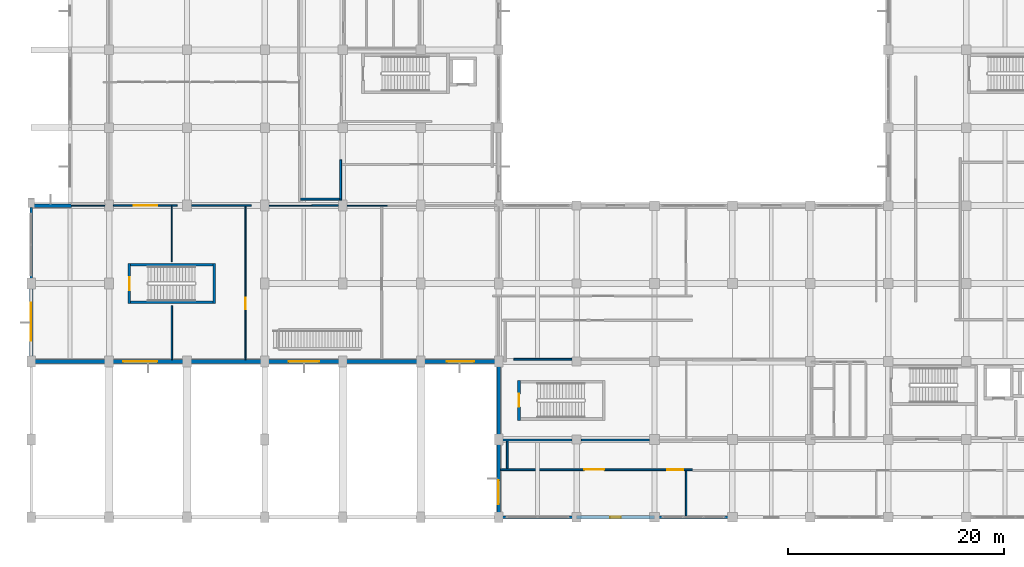
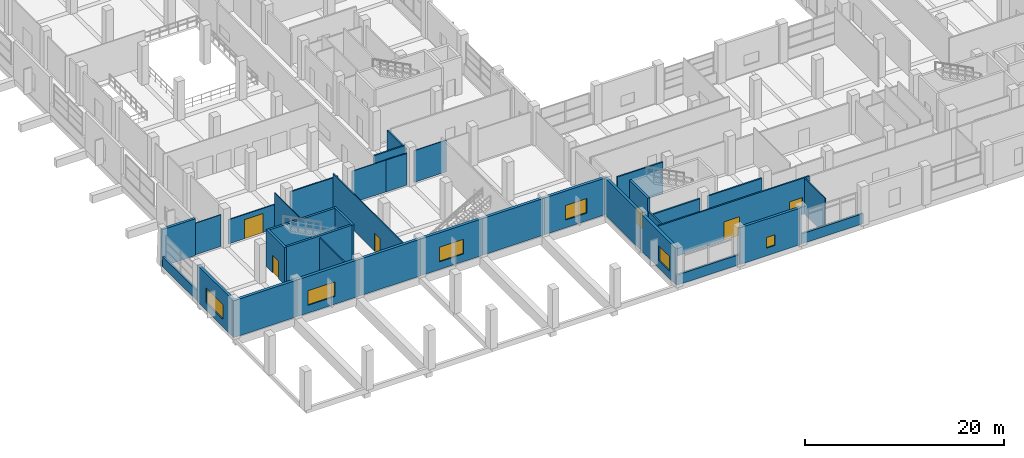
# One storey, part 154 of 181: 36 walls, 7 windows, 5 doors, 12 openings.
"""IFC4 building model written with IfcOpenShell, lengths in metres."""

from ifc_helpers import new_model, si_unit, direction, frame, frame_2d, origin, place, context, subcontext, project, spatial, rectangle, extrude, material, layer, layer_set, type_object, element, fill, save


model = new_model("IFC4")

# Units and contexts
model_context = context("Model", 3, precision=1e-05, world=origin(), true_north=direction((0.0, 1.0)))
body_context = subcontext(model_context, "Body", "Model", "MODEL_VIEW")
ifc_project = project(units=[si_unit("LENGTHUNIT", "METRE"), si_unit("AREAUNIT", "SQUARE_METRE"), si_unit("VOLUMEUNIT", "CUBIC_METRE"), si_unit("PLANEANGLEUNIT", "RADIAN"), si_unit("MASSUNIT", "GRAM", prefix="KILO")], contexts=[model_context])

# Site, building, storey
site_placement = place(None, origin())
site = spatial("IfcSite", under=ifc_project, at=site_placement, CompositionType="ELEMENT")
building_placement = place(site_placement, origin())
building = spatial("IfcBuilding", under=site, at=building_placement, Name="Seraya Terrace Polytechnic", CompositionType="ELEMENT")
storey_placement = place(building_placement, frame((0.0, 0.0, 4.800048828125)))
storey = spatial("IfcBuildingStorey", under=building, at=storey_placement, Name="L01", CompositionType="ELEMENT", Elevation=4.800048828125)

# Wall, opening, window
ifc_material_1 = material(Name="Concrete C40/50", Category="concrete")
ifc_layer_1 = layer(ifc_material_1, 0.300048828125, Name="EW-01")
ifc_layer_set_1 = layer_set([ifc_layer_1], Name="Concrete C40/50")
wall_type_1 = type_object("IfcWallType", Name="EW-01", PredefinedType="SOLIDWALL", material=ifc_layer_set_1)
wall_1_placement = place(storey_placement, frame((0.0, 14.56591796875, 0.0), z_axis=(0.0, 0.0, 1.0), x_axis=(0.0, 1.0, 0.0)))
wall_1 = element("IfcWall", 1, at=wall_1_placement, inside=storey, type_object=wall_type_1, Name="Exterior structural wall EW-01 L01", PredefinedType="SOLIDWALL", context=body_context, shape_type="SweptSolid", body=[
    extrude(rectangle(XDim=7.0341796875, YDim=0.300048828125, at=frame_2d((3.51708984375, 0.0))), origin(), (0.0, 0.0, 1.0), 4.52001953125),
])
opening_1_placement = place(wall_1_placement, frame((1.76708984375, 0.0, 0.949951171875)))
opening_1 = element("IfcOpeningElement", 2, at=opening_1_placement, cuts=wall_1, Name="Opening WN-35", PredefinedType="OPENING", context=body_context, shape_type="SweptSolid", body=[
    extrude(rectangle(XDim=3.5, YDim=1.800048828125, at=frame_2d((1.75, 0.89990234375))), frame((0.0, 0.162109375, 0.0), z_axis=(0.0, -1.0, 0.0), x_axis=(1.0, 0.0, 0.0)), (0.0, 0.0, 1.0), 0.323974609375),
])
ifc_material_2 = material(Name="Laminated solar-control Low-E double glazing", Category="glass")
window_type_1 = type_object("IfcWindowType", Name="WN-35", PartitioningType="SINGLE_PANEL", PredefinedType="WINDOW", material=ifc_material_2)
window_1_placement = place(opening_1_placement, origin())
window_1 = element("IfcWindow", 3, at=window_1_placement, inside=storey, type_object=window_type_1, Name="Exterior window WN-35 L01", OverallHeight=1.800048828125, OverallWidth=3.5, PartitioningType="SINGLE_PANEL", PredefinedType="WINDOW", context=body_context, shape_type="SweptSolid", body=[
    extrude(rectangle(XDim=3.5, YDim=1.800048828125, at=frame_2d((1.75, 0.89990234375))), frame((0.0, 0.030029296875, 0.0), z_axis=(0.0, -1.0, 0.0), x_axis=(1.0, 0.0, 0.0)), (0.0, 0.0, 1.0), 0.06005859375),
])
fill(opening_1, window_1)

# Wall
wall_2_placement = place(storey_placement, frame((-0.14990234375, 28.800048828125, 0.0), z_axis=(0.0, 0.0, 1.0), x_axis=(1.0, 0.0, 0.0)))
element("IfcWall", 4, at=wall_2_placement, inside=storey, type_object=wall_type_1, Name="Exterior structural wall EW-01 L01", PredefinedType="SOLIDWALL", context=body_context, shape_type="SweptSolid", body=[
    extrude(rectangle(XDim=3.89990234375, YDim=0.300048828125, at=frame_2d((1.949951171875, 0.0))), origin(), (0.0, 0.0, 1.0), 4.52001953125),
])

# Wall, opening, window
wall_3_placement = place(storey_placement, frame((57.60009765625, 0.0, 0.0), z_axis=(0.0, 0.0, 1.0), x_axis=(-1.0, 0.0, 0.0)))
wall_3 = element("IfcWall", 5, at=wall_3_placement, inside=storey, type_object=wall_type_1, Name="Exterior structural wall EW-01 L01", PredefinedType="SOLIDWALL", context=body_context, shape_type="SweptSolid", body=[
    extrude(rectangle(XDim=7.2001953125, YDim=0.300048828125, at=frame_2d((3.60009765625, 0.0))), origin(), (0.0, 0.0, 1.0), 4.52001953125),
])
opening_2_placement = place(wall_3_placement, frame((3.10009765625, 0.0, 0.949951171875)))
opening_2 = element("IfcOpeningElement", 6, at=opening_2_placement, cuts=wall_3, Name="Opening WN-01", PredefinedType="OPENING", context=body_context, shape_type="SweptSolid", body=[
    extrude(rectangle(XDim=1.0, YDim=1.300048828125, at=frame_2d((0.5, 0.64990234375))), frame((0.0, 0.162109375, 0.0), z_axis=(0.0, -1.0, 0.0), x_axis=(1.0, 0.0, 0.0)), (0.0, 0.0, 1.0), 0.323974609375),
])
window_type_2 = type_object("IfcWindowType", Name="WN-01", PartitioningType="SINGLE_PANEL", PredefinedType="WINDOW", material=ifc_material_2)
window_2_placement = place(opening_2_placement, origin())
window_2 = element("IfcWindow", 7, at=window_2_placement, inside=storey, type_object=window_type_2, Name="Exterior window WN-01 L01", OverallHeight=1.300048828125, OverallWidth=1.0, PartitioningType="SINGLE_PANEL", PredefinedType="WINDOW", context=body_context, shape_type="SweptSolid", body=[
    extrude(rectangle(XDim=1.0, YDim=1.300048828125, at=frame_2d((0.5, 0.64990234375))), frame((0.0, 0.030029296875, 0.0), z_axis=(0.0, -1.0, 0.0), x_axis=(1.0, 0.0, 0.0)), (0.0, 0.0, 1.0), 0.06005859375),
])
fill(opening_2, window_2)

# Walls
ifc_material_3 = material(Name="Precast concrete C40/50", Category="concrete")
ifc_layer_2 = layer(ifc_material_3, 0.219970703125, Name="EW-05")
ifc_layer_set_2 = layer_set([ifc_layer_2], Name="Precast concrete C40/50")
wall_type_2 = type_object("IfcWallType", Name="EW-05", PredefinedType="SOLIDWALL", material=ifc_layer_set_2)
wall_4_placement = place(storey_placement, frame((0.0, 21.60009765625, 0.0), z_axis=(0.0, 0.0, 1.0), x_axis=(0.0, 1.0, 0.0)))
element("IfcWall", 8, at=wall_4_placement, inside=storey, type_object=wall_type_2, Name="Precast spandrel wall L01", PredefinedType="SOLIDWALL", context=body_context, shape_type="SweptSolid", body=[
    extrude(rectangle(XDim=7.033935546875, YDim=0.219970703125, at=frame_2d((3.51708984375, 0.0))), origin(), (0.0, 0.0, 1.0), 1.239990234375),
])
wall_5_placement = place(storey_placement, frame((64.800048828125, 0.0, 0.0), z_axis=(0.0, 0.0, 1.0), x_axis=(-1.0, 0.0, 0.0)))
element("IfcWall", 9, at=wall_5_placement, inside=storey, type_object=wall_type_2, Name="Precast spandrel wall L01", PredefinedType="SOLIDWALL", context=body_context, shape_type="SweptSolid", body=[
    extrude(rectangle(XDim=7.199951171875, YDim=0.219970703125, at=frame_2d((3.60009765625, 0.0))), origin(), (0.0, 0.0, 1.0), 1.239990234375),
])
wall_6_placement = place(storey_placement, frame((50.39990234375, 0.0, 0.0), z_axis=(0.0, 0.0, 1.0), x_axis=(-1.0, 0.0, 0.0)))
element("IfcWall", 10, at=wall_6_placement, inside=storey, type_object=wall_type_2, Name="Precast spandrel wall L01", PredefinedType="SOLIDWALL", context=body_context, shape_type="SweptSolid", body=[
    extrude(rectangle(XDim=7.349853515625, YDim=0.219970703125, at=frame_2d((3.6748046875, 0.0))), origin(), (0.0, 0.0, 1.0), 1.239990234375),
])

# Wall, opening, window
ifc_layer_3 = layer(ifc_material_1, 0.330078125, Name="EW-06")
ifc_layer_set_3 = layer_set([ifc_layer_3], Name="Concrete C40/50")
wall_type_3 = type_object("IfcWallType", Name="EW-06", PredefinedType="SOLIDWALL", material=ifc_layer_set_3)
wall_7_placement = place(storey_placement, frame((43.199951171875, 0.166015625, 0.0), z_axis=(0.0, 0.0, 1.0), x_axis=(0.0, 1.0, 0.0)))
wall_7 = element("IfcWall", 11, at=wall_7_placement, inside=storey, type_object=wall_type_3, Name="Exterior structural wall EW-06 L01", PredefinedType="SOLIDWALL", context=body_context, shape_type="SweptSolid", body=[
    extrude(rectangle(XDim=7.033935546875, YDim=0.330078125, at=frame_2d((3.51708984375, 0.0))), origin(), (0.0, 0.0, 1.0), 4.52001953125),
])
opening_3_placement = place(wall_7_placement, frame((1.056884765625, 0.0, 0.949951171875)))
opening_3 = element("IfcOpeningElement", 12, at=opening_3_placement, cuts=wall_7, Name="Opening WN-31", PredefinedType="OPENING", context=body_context, shape_type="SweptSolid", body=[
    extrude(rectangle(XDim=2.199951171875, YDim=1.800048828125, at=frame_2d((1.10009765625, 0.89990234375))), frame((0.0, 0.177001953125, 0.0), z_axis=(0.0, -1.0, 0.0), x_axis=(1.0, 0.0, 0.0)), (0.0, 0.0, 1.0), 0.35400390625),
])
window_type_3 = type_object("IfcWindowType", Name="WN-31", PartitioningType="SINGLE_PANEL", PredefinedType="WINDOW", material=ifc_material_2)
window_3_placement = place(opening_3_placement, origin())
window_3 = element("IfcWindow", 13, at=window_3_placement, inside=storey, type_object=window_type_3, Name="Exterior window WN-31 L01", OverallHeight=1.800048828125, OverallWidth=2.199951171875, PartitioningType="SINGLE_PANEL", PredefinedType="WINDOW", context=body_context, shape_type="SweptSolid", body=[
    extrude(rectangle(XDim=2.199951171875, YDim=1.800048828125, at=frame_2d((1.10009765625, 0.89990234375))), frame((0.0, 0.030029296875, 0.0), z_axis=(0.0, -1.0, 0.0), x_axis=(1.0, 0.0, 0.0)), (0.0, 0.0, 1.0), 0.06005859375),
])
fill(opening_3, window_3)

# Wall
wall_8_placement = place(storey_placement, frame((43.199951171875, 7.199951171875, 0.0), z_axis=(0.0, 0.0, 1.0), x_axis=(0.0, 1.0, 0.0)))
element("IfcWall", 14, at=wall_8_placement, inside=storey, type_object=wall_type_3, Name="Exterior structural wall EW-06 L01", PredefinedType="SOLIDWALL", context=body_context, shape_type="SweptSolid", body=[
    extrude(rectangle(XDim=7.033935546875, YDim=0.330078125, at=frame_2d((3.51708984375, 0.0))), origin(), (0.0, 0.0, 1.0), 4.52001953125),
])

# Wall, opening, window
wall_9_placement = place(storey_placement, frame((43.35009765625, 14.39990234375, 0.0), z_axis=(0.0, 0.0, 1.0), x_axis=(-1.0, 0.0, 0.0)))
wall_9 = element("IfcWall", 15, at=wall_9_placement, inside=storey, type_object=wall_type_3, Name="Exterior structural wall EW-06 L01", PredefinedType="SOLIDWALL", context=body_context, shape_type="SweptSolid", body=[
    extrude(rectangle(XDim=7.35009765625, YDim=0.330078125, at=frame_2d((3.675048828125, 0.0))), origin(), (0.0, 0.0, 1.0), 4.52001953125),
])
opening_4_placement = place(wall_9_placement, frame((2.425048828125, 0.0, 0.949951171875)))
opening_4 = element("IfcOpeningElement", 16, at=opening_4_placement, cuts=wall_9, Name="Opening WN-32", PredefinedType="OPENING", context=body_context, shape_type="SweptSolid", body=[
    extrude(rectangle(XDim=2.5, YDim=1.800048828125, at=frame_2d((1.25, 0.89990234375))), frame((0.0, 0.177001953125, 0.0), z_axis=(0.0, -1.0, 0.0), x_axis=(1.0, 0.0, 0.0)), (0.0, 0.0, 1.0), 0.35400390625),
])
window_type_4 = type_object("IfcWindowType", Name="WN-32", PartitioningType="SINGLE_PANEL", PredefinedType="WINDOW", material=ifc_material_2)
window_4_placement = place(opening_4_placement, origin())
window_4 = element("IfcWindow", 17, at=window_4_placement, inside=storey, type_object=window_type_4, Name="Exterior window WN-32 L01", OverallHeight=1.800048828125, OverallWidth=2.5, PartitioningType="SINGLE_PANEL", PredefinedType="WINDOW", context=body_context, shape_type="SweptSolid", body=[
    extrude(rectangle(XDim=2.5, YDim=1.800048828125, at=frame_2d((1.25, 0.89990234375))), frame((0.0, 0.030029296875, 0.0), z_axis=(0.0, -1.0, 0.0), x_axis=(1.0, 0.0, 0.0)), (0.0, 0.0, 1.0), 0.06005859375),
])
fill(opening_4, window_4)

# Wall
wall_10_placement = place(storey_placement, frame((36.0, 14.39990234375, 0.0), z_axis=(0.0, 0.0, 1.0), x_axis=(-1.0, 0.0, 0.0)))
element("IfcWall", 18, at=wall_10_placement, inside=storey, type_object=wall_type_3, Name="Exterior structural wall EW-06 L01", PredefinedType="SOLIDWALL", context=body_context, shape_type="SweptSolid", body=[
    extrude(rectangle(XDim=7.199951171875, YDim=0.330078125, at=frame_2d((3.60009765625, 0.0))), origin(), (0.0, 0.0, 1.0), 4.52001953125),
])

# Wall, opening, window
wall_11_placement = place(storey_placement, frame((28.800048828125, 14.39990234375, 0.0), z_axis=(0.0, 0.0, 1.0), x_axis=(-1.0, 0.0, 0.0)))
wall_11 = element("IfcWall", 19, at=wall_11_placement, inside=storey, type_object=wall_type_3, Name="Exterior structural wall EW-06 L01", PredefinedType="SOLIDWALL", context=body_context, shape_type="SweptSolid", body=[
    extrude(rectangle(XDim=7.199951171875, YDim=0.330078125, at=frame_2d((3.60009765625, 0.0))), origin(), (0.0, 0.0, 1.0), 4.52001953125),
])
opening_5_placement = place(wall_11_placement, frame((2.199951171875, 0.0, 0.949951171875)))
opening_5 = element("IfcOpeningElement", 20, at=opening_5_placement, cuts=wall_11, Name="Opening WN-33", PredefinedType="OPENING", context=body_context, shape_type="SweptSolid", body=[
    extrude(rectangle(XDim=2.800048828125, YDim=1.800048828125, at=frame_2d((1.39990234375, 0.89990234375))), frame((0.0, 0.177001953125, 0.0), z_axis=(0.0, -1.0, 0.0), x_axis=(1.0, 0.0, 0.0)), (0.0, 0.0, 1.0), 0.35400390625),
])
window_type_5 = type_object("IfcWindowType", Name="WN-33", PartitioningType="SINGLE_PANEL", PredefinedType="WINDOW", material=ifc_material_2)
window_5_placement = place(opening_5_placement, origin())
window_5 = element("IfcWindow", 21, at=window_5_placement, inside=storey, type_object=window_type_5, Name="Exterior window WN-33 L01", OverallHeight=1.800048828125, OverallWidth=2.800048828125, PartitioningType="SINGLE_PANEL", PredefinedType="WINDOW", context=body_context, shape_type="SweptSolid", body=[
    extrude(rectangle(XDim=2.800048828125, YDim=1.800048828125, at=frame_2d((1.39990234375, 0.89990234375))), frame((0.0, 0.030029296875, 0.0), z_axis=(0.0, -1.0, 0.0), x_axis=(1.0, 0.0, 0.0)), (0.0, 0.0, 1.0), 0.06005859375),
])
fill(opening_5, window_5)

# Wall
wall_12_placement = place(storey_placement, frame((21.60009765625, 14.39990234375, 0.0), z_axis=(0.0, 0.0, 1.0), x_axis=(-1.0, 0.0, 0.0)))
element("IfcWall", 22, at=wall_12_placement, inside=storey, type_object=wall_type_3, Name="Exterior structural wall EW-06 L01", PredefinedType="SOLIDWALL", context=body_context, shape_type="SweptSolid", body=[
    extrude(rectangle(XDim=7.2001953125, YDim=0.330078125, at=frame_2d((3.60009765625, 0.0))), origin(), (0.0, 0.0, 1.0), 4.52001953125),
])

# Wall, opening, window
wall_13_placement = place(storey_placement, frame((14.39990234375, 14.39990234375, 0.0), z_axis=(0.0, 0.0, 1.0), x_axis=(-1.0, 0.0, 0.0)))
wall_13 = element("IfcWall", 23, at=wall_13_placement, inside=storey, type_object=wall_type_3, Name="Exterior structural wall EW-06 L01", PredefinedType="SOLIDWALL", context=body_context, shape_type="SweptSolid", body=[
    extrude(rectangle(XDim=7.199951171875, YDim=0.330078125, at=frame_2d((3.60009765625, 0.0))), origin(), (0.0, 0.0, 1.0), 4.52001953125),
])
opening_6_placement = place(wall_13_placement, frame((2.7451171875, 0.0, 0.949951171875)))
opening_6 = element("IfcOpeningElement", 24, at=opening_6_placement, cuts=wall_13, Name="Opening WN-34", PredefinedType="OPENING", context=body_context, shape_type="SweptSolid", body=[
    extrude(rectangle(XDim=3.14990234375, YDim=1.800048828125, at=frame_2d((1.574951171875, 0.89990234375))), frame((0.0, 0.177001953125, 0.0), z_axis=(0.0, -1.0, 0.0), x_axis=(1.0, 0.0, 0.0)), (0.0, 0.0, 1.0), 0.35400390625),
])
window_type_6 = type_object("IfcWindowType", Name="WN-34", PartitioningType="SINGLE_PANEL", PredefinedType="WINDOW", material=ifc_material_2)
window_6_placement = place(opening_6_placement, origin())
window_6 = element("IfcWindow", 25, at=window_6_placement, inside=storey, type_object=window_type_6, Name="Exterior window WN-34 L01", OverallHeight=1.800048828125, OverallWidth=3.14990234375, PartitioningType="SINGLE_PANEL", PredefinedType="WINDOW", context=body_context, shape_type="SweptSolid", body=[
    extrude(rectangle(XDim=3.14990234375, YDim=1.800048828125, at=frame_2d((1.574951171875, 0.89990234375))), frame((0.0, 0.030029296875, 0.0), z_axis=(0.0, -1.0, 0.0), x_axis=(1.0, 0.0, 0.0)), (0.0, 0.0, 1.0), 0.06005859375),
])
fill(opening_6, window_6)

# Walls
wall_14_placement = place(storey_placement, frame((7.199951171875, 14.39990234375, 0.0), z_axis=(0.0, 0.0, 1.0), x_axis=(-1.0, 0.0, 0.0)))
element("IfcWall", 26, at=wall_14_placement, inside=storey, type_object=wall_type_3, Name="Exterior structural wall EW-06 L01", PredefinedType="SOLIDWALL", context=body_context, shape_type="SweptSolid", body=[
    extrude(rectangle(XDim=7.349853515625, YDim=0.330078125, at=frame_2d((3.6748046875, 0.0))), origin(), (0.0, 0.0, 1.0), 4.52001953125),
])
ifc_material_4 = material(Name="Autoclaved aerated concrete blockwork", Category="masonry")
ifc_layer_4 = layer(ifc_material_4, 0.169921875, Name="PT-02")
ifc_layer_set_4 = layer_set([ifc_layer_4], Name="Autoclaved aerated concrete blockwork")
wall_type_4 = type_object("IfcWallType", Name="PT-02", PredefinedType="PARTITIONING", material=ifc_layer_set_4)
wall_15_placement = place(storey_placement, frame((44.618408203125, 14.60009765625, 0.0), z_axis=(0.0, 0.0, 1.0), x_axis=(1.0, 0.0, 0.0)))
element("IfcWall", 27, at=wall_15_placement, inside=storey, type_object=wall_type_4, Name="Internal partition PT-02 L01", PredefinedType="PARTITIONING", context=body_context, shape_type="SweptSolid", body=[
    extrude(rectangle(XDim=5.3466796875, YDim=0.169921875, at=frame_2d((2.67333984375, 0.0))), origin(), (0.0, 0.0, 1.0), 3.89990234375),
])
wall_16_placement = place(storey_placement, frame((50.8349609375, 7.14990234375, 0.0), z_axis=(0.0, 0.0, 1.0), x_axis=(1.0, 0.0, 0.0)))
element("IfcWall", 28, at=wall_16_placement, inside=storey, type_object=wall_type_4, Name="Internal partition PT-02 L01", PredefinedType="PARTITIONING", context=body_context, shape_type="SweptSolid", body=[
    extrude(rectangle(XDim=6.304931640625, YDim=0.169921875, at=frame_2d((3.15234375, 0.0))), origin(), (0.0, 0.0, 1.0), 3.89990234375),
])
wall_17_placement = place(storey_placement, frame((43.376953125, 7.14990234375, 0.0), z_axis=(0.0, 0.0, 1.0), x_axis=(1.0, 0.0, 0.0)))
element("IfcWall", 29, at=wall_17_placement, inside=storey, type_object=wall_type_4, Name="Internal partition PT-02 L01", PredefinedType="PARTITIONING", context=body_context, shape_type="SweptSolid", body=[
    extrude(rectangle(XDim=6.588134765625, YDim=0.169921875, at=frame_2d((3.2939453125, 0.0))), origin(), (0.0, 0.0, 1.0), 3.89990234375),
])

# Wall, openings, door, window
wall_18_placement = place(storey_placement, frame((43.376953125, 4.39990234375, 0.0), z_axis=(0.0, 0.0, 1.0), x_axis=(1.0, 0.0, 0.0)))
wall_18 = element("IfcWall", 30, at=wall_18_placement, inside=storey, type_object=wall_type_4, Name="Internal partition PT-02 L01", PredefinedType="PARTITIONING", context=body_context, shape_type="SweptSolid", body=[
    extrude(rectangle(XDim=17.72119140625, YDim=0.169921875, at=frame_2d((8.860595703125, 0.0))), origin(), (0.0, 0.0, 1.0), 4.4599609375),
])
opening_7_placement = place(wall_18_placement, frame((7.7490234375, 0.0, 0.0)))
opening_7 = element("IfcOpeningElement", 31, at=opening_7_placement, cuts=wall_18, Name="Opening ID-15", PredefinedType="OPENING", context=body_context, shape_type="SweptSolid", body=[
    extrude(rectangle(XDim=1.840087890625, YDim=2.300048828125, at=frame_2d((0.919921875, 1.14990234375))), frame((0.0, 0.096923828125, 0.0), z_axis=(0.0, -1.0, 0.0), x_axis=(1.0, 0.0, 0.0)), (0.0, 0.0, 1.0), 0.19384765625),
])
opening_8_placement = place(wall_18_placement, frame((15.38818359375, 0.0, 1.050048828125)))
opening_8 = element("IfcOpeningElement", 32, at=opening_8_placement, cuts=wall_18, Name="Opening IW-01", PredefinedType="OPENING", context=body_context, shape_type="SweptSolid", body=[
    extrude(rectangle(XDim=1.5, YDim=1.050048828125, at=frame_2d((0.75, 0.52490234375))), frame((0.0, 0.096923828125, 0.0), z_axis=(0.0, -1.0, 0.0), x_axis=(1.0, 0.0, 0.0)), (0.0, 0.0, 1.0), 0.19384765625),
])
ifc_material_5 = material(Name="Malaysian dark red meranti hardwood timber D40", Category="wood")
door_type_1 = type_object("IfcDoorType", Name="ID-15", OperationType="DOUBLE_DOOR_SINGLE_SWING", PredefinedType="DOOR", material=ifc_material_5)
door_1_placement = place(opening_7_placement, origin())
door_1 = element("IfcDoor", 33, at=door_1_placement, inside=storey, type_object=door_type_1, Name="Door ID-15 DR-INT-L01-0076 in WL-INT-L01-0273", OperationType="DOUBLE_DOOR_SINGLE_SWING", OverallHeight=2.300048828125, OverallWidth=1.840087890625, PredefinedType="DOOR", context=body_context, shape_type="SweptSolid", body=[
    extrude(rectangle(XDim=1.840087890625, YDim=2.300048828125, at=frame_2d((0.919921875, 1.14990234375))), frame((0.0, 0.02490234375, 0.0), z_axis=(0.0, -1.0, 0.0), x_axis=(1.0, 0.0, 0.0)), (0.0, 0.0, 1.0), 0.050048828125),
])
fill(opening_7, door_1)
window_type_7 = type_object("IfcWindowType", Name="IW-01", PartitioningType="SINGLE_PANEL", PredefinedType="WINDOW", material=ifc_material_2)
window_7_placement = place(opening_8_placement, origin())
window_7 = element("IfcWindow", 34, at=window_7_placement, inside=storey, type_object=window_type_7, Name="Internal lab vision window IW-01 L01", OverallHeight=1.050048828125, OverallWidth=1.5, PartitioningType="SINGLE_PANEL", PredefinedType="WINDOW", context=body_context, shape_type="SweptSolid", body=[
    extrude(rectangle(XDim=1.5, YDim=1.050048828125, at=frame_2d((0.75, 0.52490234375))), frame((0.0, 0.030029296875, 0.0), z_axis=(0.0, -1.0, 0.0), x_axis=(1.0, 0.0, 0.0)), (0.0, 0.0, 1.0), 0.06005859375),
])
fill(opening_8, window_7)

# Walls
wall_19_placement = place(storey_placement, frame((44.0, 4.5, 0.0), z_axis=(0.0, 0.0, 1.0), x_axis=(0.0, 1.0, 0.0)))
element("IfcWall", 35, at=wall_19_placement, inside=storey, type_object=wall_type_4, Name="Internal partition PT-02 L01", PredefinedType="PARTITIONING", context=body_context, shape_type="SweptSolid", body=[
    extrude(rectangle(XDim=2.550048828125, YDim=0.169921875, at=frame_2d((1.27490234375, 0.0))), origin(), (0.0, 0.0, 1.0), 4.4599609375),
])
wall_20_placement = place(storey_placement, frame((28.60009765625, 29.31005859375, 0.0), z_axis=(0.0, 0.0, 1.0), x_axis=(0.0, 1.0, 0.0)))
element("IfcWall", 36, at=wall_20_placement, inside=storey, type_object=wall_type_4, Name="Internal partition PT-02 L01", PredefinedType="PARTITIONING", context=body_context, shape_type="SweptSolid", body=[
    extrude(rectangle(XDim=3.721435546875, YDim=0.169921875, at=frame_2d((1.86083984375, 0.0))), origin(), (0.0, 0.0, 1.0), 4.079833984375),
])
wall_21_placement = place(storey_placement, frame((24.89990234375, 29.39990234375, 0.0), z_axis=(0.0, 0.0, 1.0), x_axis=(1.0, 0.0, 0.0)))
element("IfcWall", 37, at=wall_21_placement, inside=storey, type_object=wall_type_4, Name="Internal partition PT-02 L01", PredefinedType="PARTITIONING", context=body_context, shape_type="SweptSolid", body=[
    extrude(rectangle(XDim=3.60009765625, YDim=0.169921875, at=frame_2d((1.800048828125, 0.0))), origin(), (0.0, 0.0, 1.0), 4.4599609375),
])
ifc_layer_5 = layer(ifc_material_4, 0.14990234375, Name="PT-03")
ifc_layer_set_5 = layer_set([ifc_layer_5], Name="Autoclaved aerated concrete blockwork")
wall_type_5 = type_object("IfcWallType", Name="PT-03", PredefinedType="PARTITIONING", material=ifc_layer_set_5)
wall_22_placement = place(storey_placement, frame((14.81005859375, 28.800048828125, 0.0), z_axis=(0.0, 0.0, 1.0), x_axis=(1.0, 0.0, 0.0)))
element("IfcWall", 38, at=wall_22_placement, inside=storey, type_object=wall_type_5, Name="Internal partition PT-03 L01", PredefinedType="PARTITIONING", context=body_context, shape_type="SweptSolid", body=[
    extrude(rectangle(XDim=5.550048828125, YDim=0.14990234375, at=frame_2d((2.77490234375, 0.0))), origin(), (0.0, 0.0, 1.0), 3.89990234375),
])
wall_23_placement = place(storey_placement, frame((25.935546875, 28.800048828125, 0.0), z_axis=(0.0, 0.0, 1.0), x_axis=(1.0, 0.0, 0.0)))
element("IfcWall", 39, at=wall_23_placement, inside=storey, type_object=wall_type_5, Name="Internal partition PT-03 L01", PredefinedType="PARTITIONING", context=body_context, shape_type="SweptSolid", body=[
    extrude(rectangle(XDim=2.454345703125, YDim=0.14990234375, at=frame_2d((1.22705078125, 0.0))), origin(), (0.0, 0.0, 1.0), 3.89990234375),
])
wall_24_placement = place(storey_placement, frame((13.0, 14.576904296875, 0.0), z_axis=(0.0, 0.0, 1.0), x_axis=(0.0, 1.0, 0.0)))
element("IfcWall", 40, at=wall_24_placement, inside=storey, type_object=wall_type_5, Name="Internal partition PT-03 L01", PredefinedType="PARTITIONING", context=body_context, shape_type="SweptSolid", body=[
    extrude(rectangle(XDim=4.9931640625, YDim=0.14990234375, at=frame_2d((2.49658203125, 0.0))), origin(), (0.0, 0.0, 1.0), 4.4599609375),
])

# Wall, opening, door
ifc_layer_6 = layer(ifc_material_4, 0.1201171875, Name="PT-05")
ifc_layer_set_6 = layer_set([ifc_layer_6], Name="Autoclaved aerated concrete blockwork")
wall_type_6 = type_object("IfcWallType", Name="PT-05", PredefinedType="PARTITIONING", material=ifc_layer_set_6)
wall_25_placement = place(storey_placement, frame((7.610107421875, 28.800048828125, 0.0), z_axis=(0.0, 0.0, 1.0), x_axis=(1.0, 0.0, 0.0)))
wall_25 = element("IfcWall", 41, at=wall_25_placement, inside=storey, type_object=wall_type_6, Name="Internal partition PT-05 L01", PredefinedType="PARTITIONING", context=body_context, shape_type="SweptSolid", body=[
    extrude(rectangle(XDim=5.889892578125, YDim=0.1201171875, at=frame_2d((2.94482421875, 0.0))), origin(), (0.0, 0.0, 1.0), 2.97998046875),
])
opening_9_placement = place(wall_25_placement, frame((1.864990234375, 0.0, 0.0)))
opening_9 = element("IfcOpeningElement", 42, at=opening_9_placement, cuts=wall_25, Name="Opening ID-18", PredefinedType="OPENING", context=body_context, shape_type="SweptSolid", body=[
    extrude(rectangle(XDim=2.159912109375, YDim=2.35009765625, at=frame_2d((1.080078125, 1.175048828125))), frame((0.0, 0.072021484375, 0.0), z_axis=(0.0, -1.0, 0.0), x_axis=(1.0, 0.0, 0.0)), (0.0, 0.0, 1.0), 0.14404296875),
])
door_type_2 = type_object("IfcDoorType", Name="ID-18", OperationType="DOUBLE_DOOR_SINGLE_SWING", PredefinedType="DOOR", material=ifc_material_5)
door_2_placement = place(opening_9_placement, frame((2.159912109375, 0.0, 0.0), z_axis=(0.0, 0.0, 1.0), x_axis=(-1.0, 0.0, 0.0)))
door_2 = element("IfcDoor", 43, at=door_2_placement, inside=storey, type_object=door_type_2, Name="Door ID-18 DR-INT-L01-0095 in WL-INT-L01-0329", OperationType="DOUBLE_DOOR_SINGLE_SWING", OverallHeight=2.35009765625, OverallWidth=2.159912109375, PredefinedType="DOOR", context=body_context, shape_type="SweptSolid", body=[
    extrude(rectangle(XDim=2.159912109375, YDim=2.35009765625, at=frame_2d((1.080078125, 1.175048828125))), frame((0.0, 0.02490234375, 0.0), z_axis=(0.0, -1.0, 0.0), x_axis=(1.0, 0.0, 0.0)), (0.0, 0.0, 1.0), 0.050048828125),
])
fill(opening_9, door_2)

# Wall
wall_26_placement = place(storey_placement, frame((60.526611328125, 0.1220703125, 0.0), z_axis=(0.0, 0.0, 1.0), x_axis=(0.0, 1.0, 0.0)))
element("IfcWall", 44, at=wall_26_placement, inside=storey, type_object=wall_type_6, Name="Internal partition PT-05 L01", PredefinedType="PARTITIONING", context=body_context, shape_type="SweptSolid", body=[
    extrude(rectangle(XDim=4.177978515625, YDim=0.1201171875, at=frame_2d((2.0888671875, 0.0))), origin(), (0.0, 0.0, 1.0), 4.4599609375),
])

# Wall, opening, door
wall_27_placement = place(storey_placement, frame((19.800048828125, 14.576904296875, 0.0), z_axis=(0.0, 0.0, 1.0), x_axis=(0.0, 1.0, 0.0)))
wall_27 = element("IfcWall", 45, at=wall_27_placement, inside=storey, type_object=wall_type_6, Name="Internal partition PT-05 L01", PredefinedType="PARTITIONING", context=body_context, shape_type="SweptSolid", body=[
    extrude(rectangle(XDim=14.133056640625, YDim=0.1201171875, at=frame_2d((7.06640625, 0.0))), origin(), (0.0, 0.0, 1.0), 4.4599609375),
])
opening_10_placement = place(wall_27_placement, frame((4.66259765625, 0.0, 0.0)))
opening_10 = element("IfcOpeningElement", 46, at=opening_10_placement, cuts=wall_27, Name="Opening ID-04", PredefinedType="OPENING", context=body_context, shape_type="SweptSolid", body=[
    extrude(rectangle(XDim=1.0400390625, YDim=2.179931640625, at=frame_2d((0.52001953125, 1.08984375))), frame((0.0, 0.072021484375, 0.0), z_axis=(0.0, -1.0, 0.0), x_axis=(1.0, 0.0, 0.0)), (0.0, 0.0, 1.0), 0.14404296875),
])
door_type_3 = type_object("IfcDoorType", Name="ID-04", OperationType="NOTDEFINED", PredefinedType="DOOR", material=ifc_material_5)
door_3_placement = place(opening_10_placement, frame((1.0400390625, 0.0, 0.0), z_axis=(0.0, 0.0, 1.0), x_axis=(-1.0, 0.0, 0.0)))
door_3 = element("IfcDoor", 47, at=door_3_placement, inside=storey, type_object=door_type_3, Name="Door ID-04 DR-INT-L01-0081 in WL-INT-L01-0398", OperationType="SINGLE_SWING_RIGHT", OverallHeight=2.179931640625, OverallWidth=1.0400390625, PredefinedType="DOOR", context=body_context, shape_type="SweptSolid", body=[
    extrude(rectangle(XDim=1.0400390625, YDim=2.179931640625, at=frame_2d((0.52001953125, 1.08984375))), frame((0.0, 0.02490234375, 0.0), z_axis=(0.0, -1.0, 0.0), x_axis=(1.0, 0.0, 0.0)), (0.0, 0.0, 1.0), 0.050048828125),
])
fill(opening_10, door_3)

# Walls
ifc_layer_7 = layer(ifc_material_4, 0.10009765625, Name="PT-06")
ifc_layer_set_7 = layer_set([ifc_layer_7], Name="Autoclaved aerated concrete blockwork")
wall_type_7 = type_object("IfcWallType", Name="PT-06", PredefinedType="PARTITIONING", material=ifc_layer_set_7)
wall_28_placement = place(storey_placement, frame((22.010009765625, 28.800048828125, 0.0), z_axis=(0.0, 0.0, 1.0), x_axis=(1.0, 0.0, 0.0)))
element("IfcWall", 48, at=wall_28_placement, inside=storey, type_object=wall_type_7, Name="Internal partition PT-06 L01", PredefinedType="PARTITIONING", context=body_context, shape_type="SweptSolid", body=[
    extrude(rectangle(XDim=3.925537109375, YDim=0.10009765625, at=frame_2d((1.962890625, 0.0))), origin(), (0.0, 0.0, 1.0), 3.89990234375),
])
wall_29_placement = place(storey_placement, frame((29.2099609375, 28.800048828125, 0.0), z_axis=(0.0, 0.0, 1.0), x_axis=(1.0, 0.0, 0.0)))
element("IfcWall", 49, at=wall_29_placement, inside=storey, type_object=wall_type_7, Name="Internal partition PT-06 L01", PredefinedType="PARTITIONING", context=body_context, shape_type="SweptSolid", body=[
    extrude(rectangle(XDim=3.75, YDim=0.10009765625, at=frame_2d((1.875, 0.0))), origin(), (0.0, 0.0, 1.0), 3.89990234375),
])
wall_30_placement = place(storey_placement, frame((13.0, 23.6298828125, 0.0), z_axis=(0.0, 0.0, 1.0), x_axis=(0.0, 1.0, 0.0)))
element("IfcWall", 50, at=wall_30_placement, inside=storey, type_object=wall_type_7, Name="Internal partition PT-06 L01", PredefinedType="PARTITIONING", context=body_context, shape_type="SweptSolid", body=[
    extrude(rectangle(XDim=5.09521484375, YDim=0.10009765625, at=frame_2d((2.547607421875, 0.0))), origin(), (0.0, 0.0, 1.0), 4.4599609375),
])
wall_31_placement = place(storey_placement, frame((3.761962890625, 28.800048828125, 0.0), z_axis=(0.0, 0.0, 1.0), x_axis=(1.0, 0.0, 0.0)))
element("IfcWall", 51, at=wall_31_placement, inside=storey, type_object=wall_type_7, Name="Internal partition PT-06 L01", PredefinedType="PARTITIONING", context=body_context, shape_type="SweptSolid", body=[
    extrude(rectangle(XDim=3.028076171875, YDim=0.10009765625, at=frame_2d((1.51416015625, 0.0))), origin(), (0.0, 0.0, 1.0), 3.89990234375),
])

# Wall, opening, door
ifc_layer_8 = layer(ifc_material_1, 0.25, Name="SW-02")
ifc_layer_set_8 = layer_set([ifc_layer_8], Name="Concrete C40/50")
wall_type_8 = type_object("IfcWallType", Name="SW-02", PredefinedType="SHEAR", material=ifc_layer_set_8)
wall_32_placement = place(storey_placement, frame((45.074951171875, 8.949951171875, 0.0), z_axis=(0.0, 0.0, 1.0), x_axis=(0.0, 1.0, 0.0)))
wall_32 = element("IfcWall", 52, at=wall_32_placement, inside=storey, type_object=wall_type_8, Name="Stairwell ST-03 West wall L01", PredefinedType="SHEAR", context=body_context, shape_type="SweptSolid", body=[
    extrude(rectangle(XDim=3.699951171875, YDim=0.25, at=frame_2d((1.85009765625, 0.0))), origin(), (0.0, 0.0, 1.0), 4.550048828125),
])
opening_11_placement = place(wall_32_placement, frame((1.25, 0.0, 0.0)))
opening_11 = element("IfcOpeningElement", 53, at=opening_11_placement, cuts=wall_32, Name="Opening FD-01", PredefinedType="OPENING", context=body_context, shape_type="SweptSolid", body=[
    extrude(rectangle(XDim=1.199951171875, YDim=2.14990234375, at=frame_2d((0.60009765625, 1.074951171875))), frame((0.0, 0.136962890625, 0.0), z_axis=(0.0, -1.0, 0.0), x_axis=(1.0, 0.0, 0.0)), (0.0, 0.0, 1.0), 0.27392578125),
])
ifc_material_6 = material(Name="Steel S355J2", Category="steel")
door_type_4 = type_object("IfcDoorType", Name="FD-01", OperationType="NOTDEFINED", PredefinedType="DOOR", material=ifc_material_6)
door_4_placement = place(opening_11_placement, frame((1.199951171875, 0.0, 0.0), z_axis=(0.0, 0.0, 1.0), x_axis=(-1.0, 0.0, 0.0)))
door_4 = element("IfcDoor", 54, at=door_4_placement, inside=storey, type_object=door_type_4, Name="Door FD-01 DR-STR-ST-03-L01 in WL-STR-ST-03-L01-W", OperationType="SINGLE_SWING_LEFT", OverallHeight=2.14990234375, OverallWidth=1.199951171875, PredefinedType="DOOR", context=body_context, shape_type="SweptSolid", body=[
    extrude(rectangle(XDim=1.199951171875, YDim=2.14990234375, at=frame_2d((0.60009765625, 1.074951171875))), frame((0.0, 0.02490234375, 0.0), z_axis=(0.0, -1.0, 0.0), x_axis=(1.0, 0.0, 0.0)), (0.0, 0.0, 1.0), 0.050048828125),
])
fill(opening_11, door_4)

wall_33_placement = place(storey_placement, frame((9.074951171875, 19.75, 0.0), z_axis=(0.0, 0.0, 1.0), x_axis=(0.0, 1.0, 0.0)))
wall_33 = element("IfcWall", 55, at=wall_33_placement, inside=storey, type_object=wall_type_8, Name="Stairwell ST-09 West wall L01", PredefinedType="SHEAR", context=body_context, shape_type="SweptSolid", body=[
    extrude(rectangle(XDim=3.699951171875, YDim=0.25, at=frame_2d((1.85009765625, 0.0))), origin(), (0.0, 0.0, 1.0), 4.550048828125),
])
opening_12_placement = place(wall_33_placement, frame((1.25, 0.0, 0.0)))
opening_12 = element("IfcOpeningElement", 56, at=opening_12_placement, cuts=wall_33, Name="Opening FD-01", PredefinedType="OPENING", context=body_context, shape_type="SweptSolid", body=[
    extrude(rectangle(XDim=1.199951171875, YDim=2.14990234375, at=frame_2d((0.60009765625, 1.074951171875))), frame((0.0, 0.136962890625, 0.0), z_axis=(0.0, -1.0, 0.0), x_axis=(1.0, 0.0, 0.0)), (0.0, 0.0, 1.0), 0.27392578125),
])
door_5_placement = place(opening_12_placement, frame((1.199951171875, 0.0, 0.0), z_axis=(0.0, 0.0, 1.0), x_axis=(-1.0, 0.0, 0.0)))
door_5 = element("IfcDoor", 57, at=door_5_placement, inside=storey, type_object=door_type_4, Name="Door FD-01 DR-STR-ST-09-L01 in WL-STR-ST-09-L01-W", OperationType="SINGLE_SWING_RIGHT", OverallHeight=2.14990234375, OverallWidth=1.199951171875, PredefinedType="DOOR", context=body_context, shape_type="SweptSolid", body=[
    extrude(rectangle(XDim=1.199951171875, YDim=2.14990234375, at=frame_2d((0.60009765625, 1.074951171875))), frame((0.0, 0.02490234375, 0.0), z_axis=(0.0, -1.0, 0.0), x_axis=(1.0, 0.0, 0.0)), (0.0, 0.0, 1.0), 0.050048828125),
])
fill(opening_12, door_5)

# Walls
wall_34_placement = place(storey_placement, frame((16.925048828125, 19.75, 0.0), z_axis=(0.0, 0.0, 1.0), x_axis=(0.0, 1.0, 0.0)))
element("IfcWall", 58, at=wall_34_placement, inside=storey, type_object=wall_type_8, Name="Stairwell ST-09 East wall L01", PredefinedType="SHEAR", context=body_context, shape_type="SweptSolid", body=[
    extrude(rectangle(XDim=3.699951171875, YDim=0.25, at=frame_2d((1.85009765625, 0.0))), origin(), (0.0, 0.0, 1.0), 4.550048828125),
])
for number, where, z_axis, x_axis, name in (
    (59, (9.199951171875, 19.875, 0.0), (0.0, 0.0, 1.0), (1.0, 0.0, 0.0), "Stairwell ST-09 South wall L01"),
    (60, (9.199951171875, 23.324951171875, 0.0), (0.0, 0.0, 1.0), (1.0, 0.0, 0.0), "Stairwell ST-09 North wall L01"),
):
    element("IfcWall", number, at=place(storey_placement, frame(where, z_axis=z_axis, x_axis=x_axis)), inside=storey, type_object=wall_type_8, Name=name, PredefinedType="SHEAR", context=body_context, shape_type="SweptSolid", body=[
        extrude(rectangle(XDim=7.60009765625, YDim=0.25, at=frame_2d((3.800048828125, 0.0))), origin(), (0.0, 0.0, 1.0), 4.550048828125),
    ])

save(model, "model.ifc")
